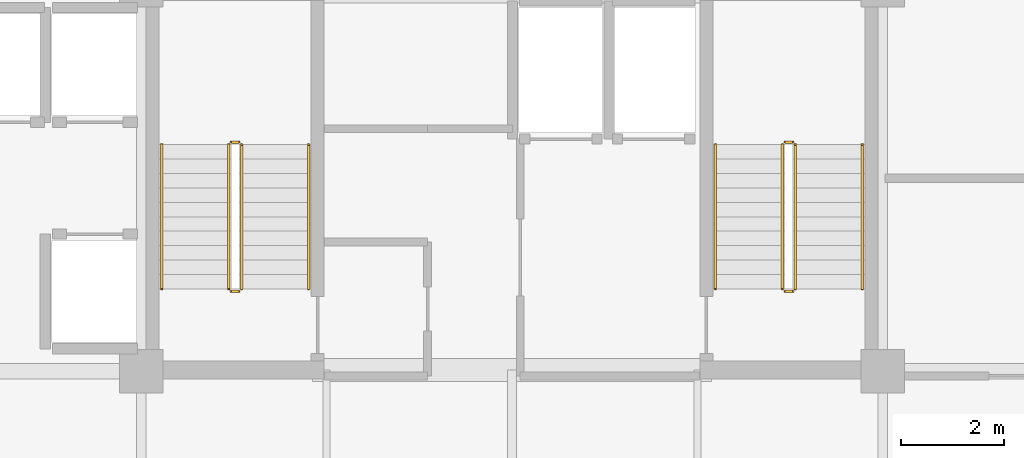
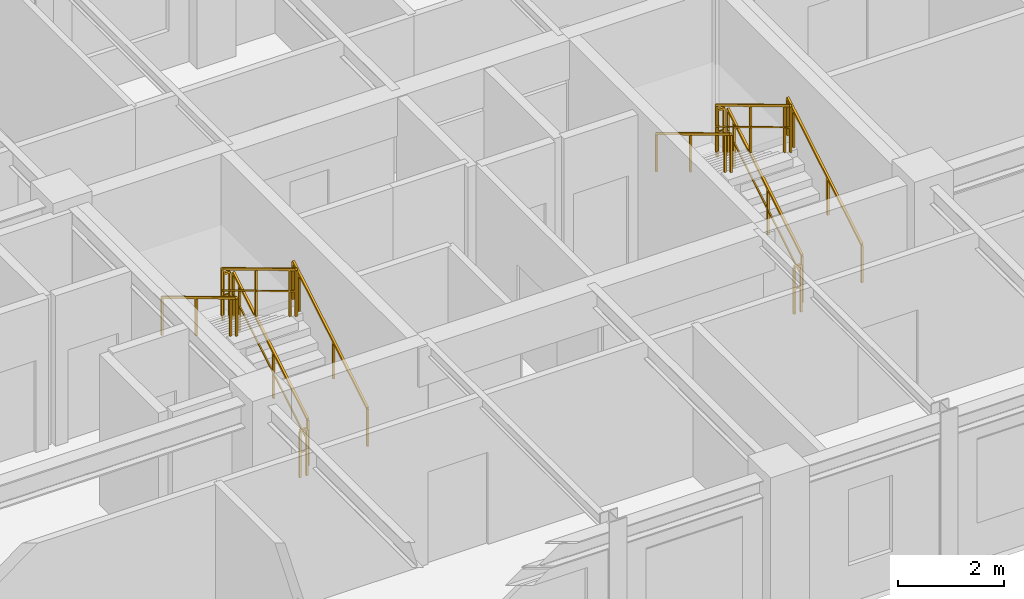
# One storey, part 10 of 11: 12 railings.
"""IFC4 building model written with IfcOpenShell, lengths in metres."""

from ifc_helpers import new_model, si_unit, direction, frame, origin, origin_2d, place, context, subcontext, project, spatial, rectangle, extrude, material, type_object, element, save


model = new_model("IFC4")

# Units and contexts
model_context = context("Model", 3, precision=1e-05, world=origin(), true_north=direction((0.0, 1.0)))
body_context = subcontext(model_context, "Body", "Model", "MODEL_VIEW")
ifc_project = project(units=[si_unit("LENGTHUNIT", "METRE"), si_unit("AREAUNIT", "SQUARE_METRE"), si_unit("VOLUMEUNIT", "CUBIC_METRE"), si_unit("PLANEANGLEUNIT", "RADIAN"), si_unit("MASSUNIT", "GRAM", prefix="KILO")], contexts=[model_context])

# Site, building, storey
site_placement = place(None, origin())
site = spatial("IfcSite", under=ifc_project, at=site_placement, CompositionType="ELEMENT")
building_placement = place(site_placement, origin())
building = spatial("IfcBuilding", under=site, at=building_placement, Name="Kaliganga Portal Commons", CompositionType="ELEMENT")
storey_placement = place(building_placement, frame((0.0, 0.0, 257.300048828125)))
storey = spatial("IfcBuildingStorey", under=building, at=storey_placement, Name="L66", CompositionType="ELEMENT", Elevation=257.300048828125)

# Railings
ifc_material_1 = material(Name="Galvanized Painted Steel Balustrade", Category="steel")
railing_type_1 = type_object("IfcRailingType", Name="RLG-STAIR-GRD", PredefinedType="GUARDRAIL", material=ifc_material_1)
railing_1_placement = place(storey_placement, frame((16.35009765625, 30.25, 0.168212890625)))
element("IfcRailing", 1, at=railing_1_placement, inside=storey, type_object=railing_type_1, Name="L66 ST-A1 stair guard 1", PredefinedType="GUARDRAIL", context=body_context, shape_type="SweptSolid", body=[
    extrude(rectangle(XDim=0.048095703125, YDim=0.048095703125, at=origin_2d()), frame((0.0, 0.0, 1.072021484375), z_axis=(0.0, 0.857275202839, 0.514858452973), x_axis=(-1.0, 0.0, 0.0)), (0.0, 0.0, 1.0), 3.26611328125),
    extrude(rectangle(XDim=0.028076171875, YDim=0.028076171875, at=origin_2d()), frame((0.0, 0.0, 0.572021484375), z_axis=(0.0, 0.857275202839, 0.514858452973), x_axis=(-1.0, 0.0, 0.0)), (0.0, 0.0, 1.0), 3.26611328125),
    extrude(rectangle(XDim=0.0419921875, YDim=0.0419921875, at=origin_2d()), origin(), (0.0, 0.0, 1.0), 1.052001953125),
    extrude(rectangle(XDim=0.0419921875, YDim=0.0419921875, at=origin_2d()), frame((0.0, 1.285888671875, 0.772216796875)), (0.0, 0.0, 1.0), 1.052001953125),
    extrude(rectangle(XDim=0.0419921875, YDim=0.0419921875, at=origin_2d()), frame((0.0, 2.57177734375, 1.544677734375)), (0.0, 0.0, 1.0), 1.052001953125),
    extrude(rectangle(XDim=0.0419921875, YDim=0.0419921875, at=origin_2d()), frame((0.0, 2.800048828125, 1.681640625)), (0.0, 0.0, 1.0), 1.052001953125),
])
railing_2_placement = place(storey_placement, frame((16.300048828125, 33.10009765625, 1.849853515625)))
element("IfcRailing", 2, at=railing_2_placement, inside=storey, type_object=railing_type_1, Name="L66 ST-A1 stair guard 2", PredefinedType="GUARDRAIL", context=body_context, shape_type="SweptSolid", body=[
    extrude(rectangle(XDim=0.048095703125, YDim=0.048095703125, at=origin_2d()), frame((0.0, 0.0, 1.076171875), z_axis=(-1.0, 0.0, 0.0), x_axis=(0.0, -1.0, 0.0)), (0.0, 0.0, 1.0), 0.150146484375),
    extrude(rectangle(XDim=0.028076171875, YDim=0.028076171875, at=origin_2d()), frame((0.0, 0.0, 0.572021484375), z_axis=(-1.0, 0.0, 0.0), x_axis=(0.0, -1.0, 0.0)), (0.0, 0.0, 1.0), 0.150146484375),
    extrude(rectangle(XDim=0.0419921875, YDim=0.0419921875, at=origin_2d()), origin(), (0.0, 0.0, 1.0), 1.052001953125),
    extrude(rectangle(XDim=0.0419921875, YDim=0.0419921875, at=origin_2d()), frame((-0.150146484375, 0.0, 0.0)), (0.0, 0.0, 1.0), 1.052001953125),
])
railing_3_placement = place(storey_placement, frame((16.10009765625, 33.050048828125, 2.01806640625)))
element("IfcRailing", 3, at=railing_3_placement, inside=storey, type_object=railing_type_1, Name="L66 ST-A1 stair guard 3", PredefinedType="GUARDRAIL", context=body_context, shape_type="SweptSolid", body=[
    extrude(rectangle(XDim=0.048095703125, YDim=0.048095703125, at=origin_2d()), frame((0.0, 0.0, 1.072021484375), z_axis=(0.0, -0.857242210791, 0.514913383045), x_axis=(1.0, 0.0, 0.0)), (0.0, 0.0, 1.0), 3.266357421875),
    extrude(rectangle(XDim=0.028076171875, YDim=0.028076171875, at=origin_2d()), frame((0.0, 0.0, 0.572021484375), z_axis=(0.0, -0.857242210791, 0.514913383045), x_axis=(1.0, 0.0, 0.0)), (0.0, 0.0, 1.0), 3.266357421875),
    extrude(rectangle(XDim=0.0419921875, YDim=0.0419921875, at=origin_2d()), origin(), (0.0, 0.0, 1.0), 1.052001953125),
    extrude(rectangle(XDim=0.0419921875, YDim=0.0419921875, at=origin_2d()), frame((0.0, -1.285888671875, 0.7724609375)), (0.0, 0.0, 1.0), 1.052001953125),
    extrude(rectangle(XDim=0.0419921875, YDim=0.0419921875, at=origin_2d()), frame((0.0, -2.57177734375, 1.544677734375)), (0.0, 0.0, 1.0), 1.052001953125),
    extrude(rectangle(XDim=0.0419921875, YDim=0.0419921875, at=origin_2d()), frame((0.0, -2.800048828125, 1.681884765625)), (0.0, 0.0, 1.0), 1.052001953125),
])
railing_4_placement = place(storey_placement, frame((16.300048828125, 30.199951171875, 0.0)))
element("IfcRailing", 4, at=railing_4_placement, inside=storey, type_object=railing_type_1, Name="L66 ST-A1 stair guard 4", PredefinedType="GUARDRAIL", context=body_context, shape_type="SweptSolid", body=[
    extrude(rectangle(XDim=0.048095703125, YDim=0.048095703125, at=origin_2d()), frame((0.0, 0.0, 1.076171875), z_axis=(-1.0, 0.0, 0.0), x_axis=(0.0, -1.0, 0.0)), (0.0, 0.0, 1.0), 0.150146484375),
    extrude(rectangle(XDim=0.028076171875, YDim=0.028076171875, at=origin_2d()), frame((0.0, 0.0, 0.572021484375), z_axis=(-1.0, 0.0, 0.0), x_axis=(0.0, -1.0, 0.0)), (0.0, 0.0, 1.0), 0.150146484375),
    extrude(rectangle(XDim=0.0419921875, YDim=0.0419921875, at=origin_2d()), origin(), (0.0, 0.0, 1.0), 1.052001953125),
    extrude(rectangle(XDim=0.0419921875, YDim=0.0419921875, at=origin_2d()), frame((-0.150146484375, 0.0, 0.0)), (0.0, 0.0, 1.0), 1.052001953125),
])
railing_5_placement = place(storey_placement, frame((27.10009765625, 30.25, 0.168212890625)))
element("IfcRailing", 5, at=railing_5_placement, inside=storey, type_object=railing_type_1, Name="L66 ST-A2 stair guard 1", PredefinedType="GUARDRAIL", context=body_context, shape_type="SweptSolid", body=[
    extrude(rectangle(XDim=0.048095703125, YDim=0.048095703125, at=origin_2d()), frame((0.0, 0.0, 1.072021484375), z_axis=(0.0, 0.857275202839, 0.514858452973), x_axis=(-1.0, 0.0, 0.0)), (0.0, 0.0, 1.0), 3.26611328125),
    extrude(rectangle(XDim=0.028076171875, YDim=0.028076171875, at=origin_2d()), frame((0.0, 0.0, 0.572021484375), z_axis=(0.0, 0.857275202839, 0.514858452973), x_axis=(-1.0, 0.0, 0.0)), (0.0, 0.0, 1.0), 3.26611328125),
    extrude(rectangle(XDim=0.0419921875, YDim=0.0419921875, at=origin_2d()), origin(), (0.0, 0.0, 1.0), 1.052001953125),
    extrude(rectangle(XDim=0.0419921875, YDim=0.0419921875, at=origin_2d()), frame((0.0, 1.285888671875, 0.772216796875)), (0.0, 0.0, 1.0), 1.052001953125),
    extrude(rectangle(XDim=0.0419921875, YDim=0.0419921875, at=origin_2d()), frame((0.0, 2.57177734375, 1.544677734375)), (0.0, 0.0, 1.0), 1.052001953125),
    extrude(rectangle(XDim=0.0419921875, YDim=0.0419921875, at=origin_2d()), frame((0.0, 2.800048828125, 1.681640625)), (0.0, 0.0, 1.0), 1.052001953125),
])
railing_6_placement = place(storey_placement, frame((27.050048828125, 33.10009765625, 1.849853515625)))
element("IfcRailing", 6, at=railing_6_placement, inside=storey, type_object=railing_type_1, Name="L66 ST-A2 stair guard 2", PredefinedType="GUARDRAIL", context=body_context, shape_type="SweptSolid", body=[
    extrude(rectangle(XDim=0.048095703125, YDim=0.048095703125, at=origin_2d()), frame((0.0, 0.0, 1.076171875), z_axis=(-1.0, 0.0, 0.0), x_axis=(0.0, -1.0, 0.0)), (0.0, 0.0, 1.0), 0.150146484375),
    extrude(rectangle(XDim=0.028076171875, YDim=0.028076171875, at=origin_2d()), frame((0.0, 0.0, 0.572021484375), z_axis=(-1.0, 0.0, 0.0), x_axis=(0.0, -1.0, 0.0)), (0.0, 0.0, 1.0), 0.150146484375),
    extrude(rectangle(XDim=0.0419921875, YDim=0.0419921875, at=origin_2d()), origin(), (0.0, 0.0, 1.0), 1.052001953125),
    extrude(rectangle(XDim=0.0419921875, YDim=0.0419921875, at=origin_2d()), frame((-0.150146484375, 0.0, 0.0)), (0.0, 0.0, 1.0), 1.052001953125),
])
railing_7_placement = place(storey_placement, frame((26.85009765625, 33.050048828125, 2.01806640625)))
element("IfcRailing", 7, at=railing_7_placement, inside=storey, type_object=railing_type_1, Name="L66 ST-A2 stair guard 3", PredefinedType="GUARDRAIL", context=body_context, shape_type="SweptSolid", body=[
    extrude(rectangle(XDim=0.048095703125, YDim=0.048095703125, at=origin_2d()), frame((0.0, 0.0, 1.072021484375), z_axis=(0.0, -0.857242210791, 0.514913383045), x_axis=(1.0, 0.0, 0.0)), (0.0, 0.0, 1.0), 3.266357421875),
    extrude(rectangle(XDim=0.028076171875, YDim=0.028076171875, at=origin_2d()), frame((0.0, 0.0, 0.572021484375), z_axis=(0.0, -0.857242210791, 0.514913383045), x_axis=(1.0, 0.0, 0.0)), (0.0, 0.0, 1.0), 3.266357421875),
    extrude(rectangle(XDim=0.0419921875, YDim=0.0419921875, at=origin_2d()), origin(), (0.0, 0.0, 1.0), 1.052001953125),
    extrude(rectangle(XDim=0.0419921875, YDim=0.0419921875, at=origin_2d()), frame((0.0, -1.285888671875, 0.7724609375)), (0.0, 0.0, 1.0), 1.052001953125),
    extrude(rectangle(XDim=0.0419921875, YDim=0.0419921875, at=origin_2d()), frame((0.0, -2.57177734375, 1.544677734375)), (0.0, 0.0, 1.0), 1.052001953125),
    extrude(rectangle(XDim=0.0419921875, YDim=0.0419921875, at=origin_2d()), frame((0.0, -2.800048828125, 1.681884765625)), (0.0, 0.0, 1.0), 1.052001953125),
])
railing_8_placement = place(storey_placement, frame((27.050048828125, 30.199951171875, 0.0)))
element("IfcRailing", 8, at=railing_8_placement, inside=storey, type_object=railing_type_1, Name="L66 ST-A2 stair guard 4", PredefinedType="GUARDRAIL", context=body_context, shape_type="SweptSolid", body=[
    extrude(rectangle(XDim=0.048095703125, YDim=0.048095703125, at=origin_2d()), frame((0.0, 0.0, 1.076171875), z_axis=(-1.0, 0.0, 0.0), x_axis=(0.0, -1.0, 0.0)), (0.0, 0.0, 1.0), 0.150146484375),
    extrude(rectangle(XDim=0.028076171875, YDim=0.028076171875, at=origin_2d()), frame((0.0, 0.0, 0.572021484375), z_axis=(-1.0, 0.0, 0.0), x_axis=(0.0, -1.0, 0.0)), (0.0, 0.0, 1.0), 0.150146484375),
    extrude(rectangle(XDim=0.0419921875, YDim=0.0419921875, at=origin_2d()), origin(), (0.0, 0.0, 1.0), 1.052001953125),
    extrude(rectangle(XDim=0.0419921875, YDim=0.0419921875, at=origin_2d()), frame((-0.150146484375, 0.0, 0.0)), (0.0, 0.0, 1.0), 1.052001953125),
])
ifc_material_2 = material(Name="Brushed Stainless Steel 316", Category="steel")
railing_type_2 = type_object("IfcRailingType", Name="RLG-STAIR-HR", PredefinedType="HANDRAIL", material=ifc_material_2)
railing_9_placement = place(storey_placement, frame((17.64990234375, 30.25, 0.168212890625)))
element("IfcRailing", 9, at=railing_9_placement, inside=storey, type_object=railing_type_2, Name="L66 ST-A1 stair handrail 1", PredefinedType="HANDRAIL", context=body_context, shape_type="SweptSolid", body=[
    extrude(rectangle(XDim=0.048095703125, YDim=0.048095703125, at=origin_2d()), frame((0.0, 0.0, 0.871826171875), z_axis=(0.0, 0.857275202839, 0.514858452973), x_axis=(-1.0, 0.0, 0.0)), (0.0, 0.0, 1.0), 3.26611328125),
    extrude(rectangle(XDim=0.0419921875, YDim=0.0419921875, at=origin_2d()), origin(), (0.0, 0.0, 1.0), 0.851806640625),
    extrude(rectangle(XDim=0.0419921875, YDim=0.0419921875, at=origin_2d()), frame((0.0, 1.285888671875, 0.772216796875)), (0.0, 0.0, 1.0), 0.851806640625),
    extrude(rectangle(XDim=0.0419921875, YDim=0.0419921875, at=origin_2d()), frame((0.0, 2.57177734375, 1.544677734375)), (0.0, 0.0, 1.0), 0.851806640625),
    extrude(rectangle(XDim=0.0419921875, YDim=0.0419921875, at=origin_2d()), frame((0.0, 2.800048828125, 1.681640625)), (0.0, 0.0, 1.0), 0.851806640625),
])
railing_10_placement = place(storey_placement, frame((14.800048828125, 33.050048828125, 2.01806640625)))
element("IfcRailing", 10, at=railing_10_placement, inside=storey, type_object=railing_type_2, Name="L66 ST-A1 stair handrail 2", PredefinedType="HANDRAIL", context=body_context, shape_type="SweptSolid", body=[
    extrude(rectangle(XDim=0.048095703125, YDim=0.048095703125, at=origin_2d()), frame((0.0, 0.0, 0.871826171875), z_axis=(0.0, -0.857242210791, 0.514913383045), x_axis=(1.0, 0.0, 0.0)), (0.0, 0.0, 1.0), 3.266357421875),
    extrude(rectangle(XDim=0.0419921875, YDim=0.0419921875, at=origin_2d()), origin(), (0.0, 0.0, 1.0), 0.851806640625),
    extrude(rectangle(XDim=0.0419921875, YDim=0.0419921875, at=origin_2d()), frame((0.0, -1.285888671875, 0.7724609375)), (0.0, 0.0, 1.0), 0.851806640625),
    extrude(rectangle(XDim=0.0419921875, YDim=0.0419921875, at=origin_2d()), frame((0.0, -2.57177734375, 1.544677734375)), (0.0, 0.0, 1.0), 0.851806640625),
    extrude(rectangle(XDim=0.0419921875, YDim=0.0419921875, at=origin_2d()), frame((0.0, -2.800048828125, 1.681884765625)), (0.0, 0.0, 1.0), 0.851806640625),
])
railing_11_placement = place(storey_placement, frame((28.39990234375, 30.25, 0.168212890625)))
element("IfcRailing", 11, at=railing_11_placement, inside=storey, type_object=railing_type_2, Name="L66 ST-A2 stair handrail 1", PredefinedType="HANDRAIL", context=body_context, shape_type="SweptSolid", body=[
    extrude(rectangle(XDim=0.048095703125, YDim=0.048095703125, at=origin_2d()), frame((0.0, 0.0, 0.871826171875), z_axis=(0.0, 0.857275202839, 0.514858452973), x_axis=(-1.0, 0.0, 0.0)), (0.0, 0.0, 1.0), 3.26611328125),
    extrude(rectangle(XDim=0.0419921875, YDim=0.0419921875, at=origin_2d()), origin(), (0.0, 0.0, 1.0), 0.851806640625),
    extrude(rectangle(XDim=0.0419921875, YDim=0.0419921875, at=origin_2d()), frame((0.0, 1.285888671875, 0.772216796875)), (0.0, 0.0, 1.0), 0.851806640625),
    extrude(rectangle(XDim=0.0419921875, YDim=0.0419921875, at=origin_2d()), frame((0.0, 2.57177734375, 1.544677734375)), (0.0, 0.0, 1.0), 0.851806640625),
    extrude(rectangle(XDim=0.0419921875, YDim=0.0419921875, at=origin_2d()), frame((0.0, 2.800048828125, 1.681640625)), (0.0, 0.0, 1.0), 0.851806640625),
])
railing_12_placement = place(storey_placement, frame((25.550048828125, 33.050048828125, 2.01806640625)))
element("IfcRailing", 12, at=railing_12_placement, inside=storey, type_object=railing_type_2, Name="L66 ST-A2 stair handrail 2", PredefinedType="HANDRAIL", context=body_context, shape_type="SweptSolid", body=[
    extrude(rectangle(XDim=0.048095703125, YDim=0.048095703125, at=origin_2d()), frame((0.0, 0.0, 0.871826171875), z_axis=(0.0, -0.857242210791, 0.514913383045), x_axis=(1.0, 0.0, 0.0)), (0.0, 0.0, 1.0), 3.266357421875),
    extrude(rectangle(XDim=0.0419921875, YDim=0.0419921875, at=origin_2d()), origin(), (0.0, 0.0, 1.0), 0.851806640625),
    extrude(rectangle(XDim=0.0419921875, YDim=0.0419921875, at=origin_2d()), frame((0.0, -1.285888671875, 0.7724609375)), (0.0, 0.0, 1.0), 0.851806640625),
    extrude(rectangle(XDim=0.0419921875, YDim=0.0419921875, at=origin_2d()), frame((0.0, -2.57177734375, 1.544677734375)), (0.0, 0.0, 1.0), 0.851806640625),
    extrude(rectangle(XDim=0.0419921875, YDim=0.0419921875, at=origin_2d()), frame((0.0, -2.800048828125, 1.681884765625)), (0.0, 0.0, 1.0), 0.851806640625),
])

save(model, "model.ifc")
